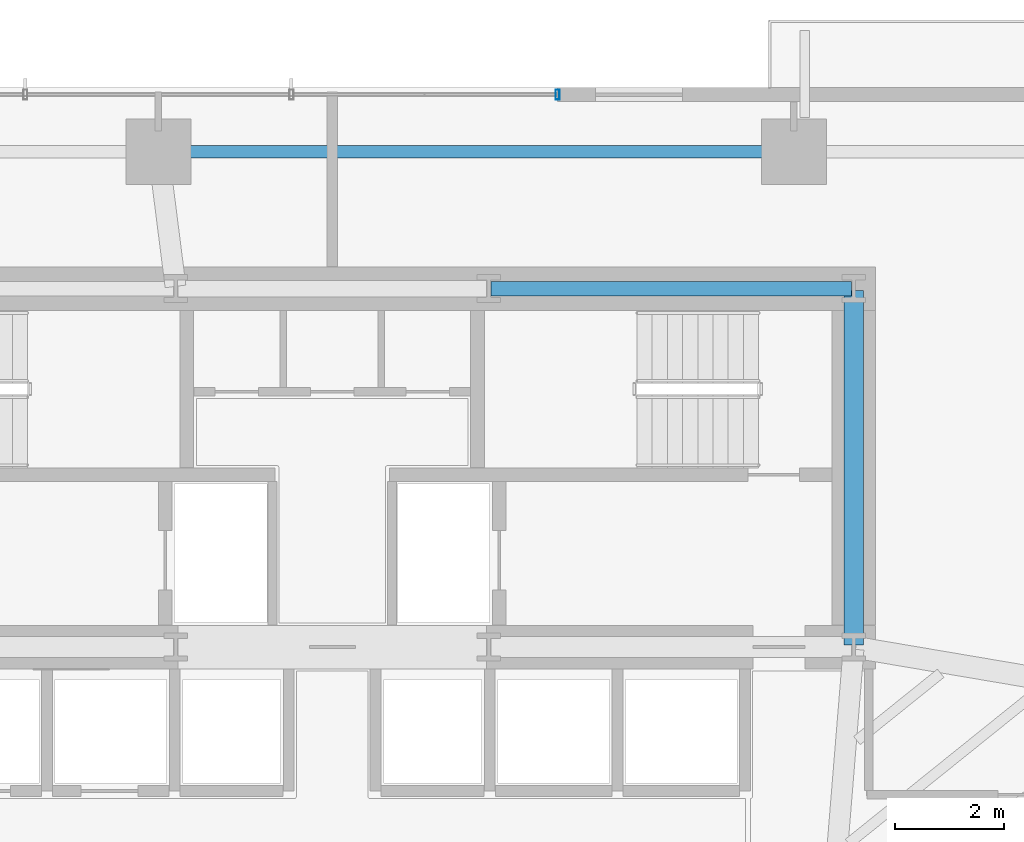
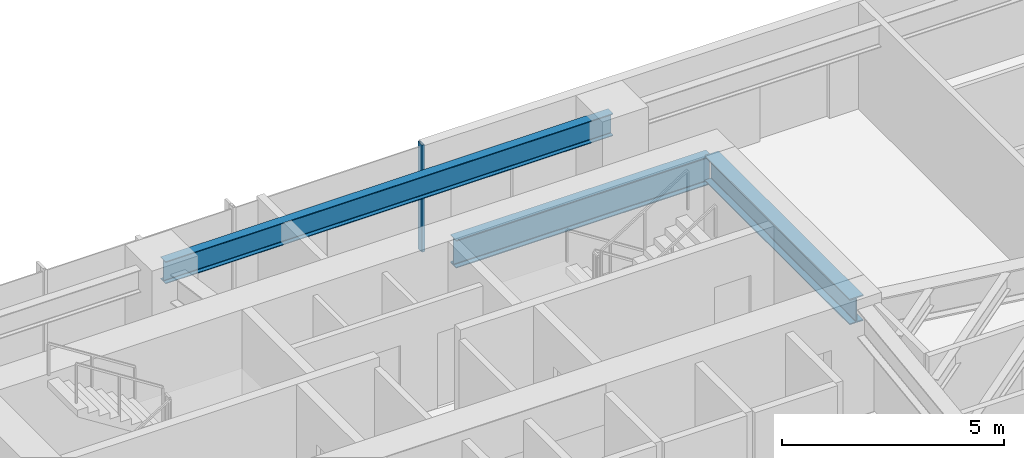
# One storey, part 15 of 25: 3 beams, 1 member, 1 element without a shape of its own.
"""IFC4 building model written with IfcOpenShell, lengths in metres."""

from ifc_helpers import new_model, si_unit, direction, frame, origin, origin_2d, place, context, subcontext, project, spatial, hollow_rectangle, i_section, extrude, source, transform, mapped, material, material_profile, profile_set, type_object, type_shapes, element, aggregate, save


model = new_model("IFC4")

# Units and contexts
model_context = context("Model", 3, precision=1e-05, world=origin(), true_north=direction((0.0, 1.0)))
body_context = subcontext(model_context, "Body", "Model", "MODEL_VIEW")
ifc_project = project(units=[si_unit("LENGTHUNIT", "METRE"), si_unit("AREAUNIT", "SQUARE_METRE"), si_unit("VOLUMEUNIT", "CUBIC_METRE"), si_unit("PLANEANGLEUNIT", "RADIAN"), si_unit("MASSUNIT", "GRAM", prefix="KILO")], contexts=[model_context])

# Site, building, storey
site_placement = place(None, origin())
site = spatial("IfcSite", under=ifc_project, at=site_placement, CompositionType="ELEMENT")
building_placement = place(site_placement, origin())
building = spatial("IfcBuilding", under=site, at=building_placement, Name="Astriad Promenade Condominiums", CompositionType="ELEMENT")
storey_placement = place(building_placement, frame((0.0, 0.0, 55.0)))
storey = spatial("IfcBuildingStorey", under=building, at=storey_placement, Name="L15", CompositionType="ELEMENT", Elevation=55.0)

# Beams
ifc_material_1 = material(Name="Steel ASTM A992 Grade 50", Category="steel")
ifc_material_profile_1 = material_profile(ifc_material_1, i_section(OverallWidth=0.267822265625, OverallDepth=0.76953125, WebThickness=0.015625, FlangeThickness=0.025390625, FilletRadius=0.021484375, at=origin_2d()), Name="W30X132")
ifc_profile_set_1 = profile_set([ifc_material_profile_1], Name="Steel ASTM A992 Grade 50")
beam_type_1 = type_object("IfcBeamType", Name="STEEL FLOOR GIRDER W30X132", PredefinedType="BEAM", material=ifc_profile_set_1)
shared_shape_1 = source(origin(), body_context, "Body", "SweptSolid", [
    extrude(i_section(OverallWidth=0.267822265625, OverallDepth=0.76953125, WebThickness=0.015625, FlangeThickness=0.025390625, FilletRadius=0.021484375, at=origin_2d()), origin(), (0.0, 0.0, 1.0), 6.64013671875),
])
type_shapes(beam_type_1, [shared_shape_1])
beam_1_placement = place(storey_placement, frame((38.919921875, 24.0, 2.55517578125), z_axis=(1.0, 0.0, 0.0), x_axis=(0.0, 1.0, 0.0)))
element("IfcBeam", 1, at=beam_1_placement, inside=storey, type_object=beam_type_1, Name="Core Ring Beam CG-N3-L15", PredefinedType="BEAM", context=body_context, shape_type="MappedRepresentation", body=[
    mapped(shared_shape_1, transform((0.0, 0.0, 0.0), scale=1.0)),
])
ifc_material_profile_2 = material_profile(ifc_material_1, i_section(OverallWidth=0.35791015625, OverallDepth=0.706298828125, WebThickness=0.018310546875, FlangeThickness=0.0302734375, FilletRadius=0.020263671875, at=origin_2d()), Name="W27X178")
ifc_profile_set_2 = profile_set([ifc_material_profile_2], Name="Steel ASTM A992 Grade 50")
beam_type_2 = type_object("IfcBeamType", Name="STEEL FLOOR GIRDER W27X178", PredefinedType="BEAM", material=ifc_profile_set_2)
shared_shape_2 = source(origin(), body_context, "Body", "SweptSolid", [
    extrude(i_section(OverallWidth=0.35791015625, OverallDepth=0.706298828125, WebThickness=0.018310546875, FlangeThickness=0.0302734375, FilletRadius=0.020263671875, at=origin_2d()), origin(), (0.0, 0.0, 1.0), 6.52001953125),
])
type_shapes(beam_type_2, [shared_shape_2])
beam_2_placement = place(storey_placement, frame((45.60009765625, 17.43994140625, 2.5869140625), z_axis=(0.0, 1.0, 0.0), x_axis=(-1.0, 0.0, 0.0)))
element("IfcBeam", 2, at=beam_2_placement, inside=storey, type_object=beam_type_2, Name="Core Ring Beam CG-E1-L15", PredefinedType="BEAM", context=body_context, shape_type="MappedRepresentation", body=[
    mapped(shared_shape_2, transform((0.0, 0.0, 0.0), scale=1.0)),
])
ifc_material_profile_3 = material_profile(ifc_material_1, i_section(OverallWidth=0.22900390625, OverallDepth=0.612060546875, WebThickness=0.011962890625, FlangeThickness=0.01953125, FilletRadius=0.017822265625, at=origin_2d()), Name="W24X84")
ifc_profile_set_3 = profile_set([ifc_material_profile_3], Name="Steel ASTM A992 Grade 50")
beam_type_3 = type_object("IfcBeamType", Name="STEEL SPANDREL BEAM W24X84", PredefinedType="SPANDREL", material=ifc_profile_set_3)
shared_shape_3 = source(origin(), body_context, "Body", "SweptSolid", [
    extrude(i_section(OverallWidth=0.22900390625, OverallDepth=0.612060546875, WebThickness=0.011962890625, FlangeThickness=0.01953125, FilletRadius=0.017822265625, at=origin_2d()), origin(), (0.0, 0.0, 1.0), 11.619873046875),
])
type_shapes(beam_type_3, [shared_shape_3])
beam_3_placement = place(storey_placement, frame((44.4599609375, 26.52001953125, 2.6337890625), z_axis=(-1.0, 0.0, 0.0), x_axis=(0.0, -1.0, 0.0)))
element("IfcBeam", 3, at=beam_3_placement, inside=storey, type_object=beam_type_3, Name="Perimeter Spandrel Beam SP-N3-L15", PredefinedType="SPANDREL", context=body_context, shape_type="MappedRepresentation", body=[
    mapped(shared_shape_3, transform((0.0, 0.0, 0.0), scale=1.0)),
])

# Curtain wall, member
ifc_material_2 = material(Name="Anodised aluminium Black Dark Glass Unitised", Category="aluminium")
curtain_wall_type = type_object("IfcCurtainWallType", Name="CW-B1-DARK", PredefinedType="USERDEFINED", material=ifc_material_2)
curtain_wall_placement = place(storey_placement, origin())
curtain_wall = element("IfcCurtainWall", 4, at=curtain_wall_placement, inside=storey, type_object=curtain_wall_type, Name="CW-L15-N", ObjectType="UNITISED_CURTAIN_WALL", PredefinedType="USERDEFINED")
ifc_material_3 = material(Name="Anodised aluminium 6063-T6 Black", Category="aluminium")
ifc_material_profile_4 = material_profile(ifc_material_3, hollow_rectangle(XDim=0.074951171875, YDim=0.18505859375, WallThickness=0.00439453125, at=origin_2d()), Name="ALU-MUL-75X185")
ifc_profile_set_4 = profile_set([ifc_material_profile_4], Name="Anodised aluminium 6063-T6 Black")
member_type = type_object("IfcMemberType", Name="MUL-ALU-MUL-75X185", PredefinedType="MULLION", material=ifc_profile_set_4)
shared_shape_4 = source(origin(), body_context, "Body", "SweptSolid", [
    extrude(hollow_rectangle(XDim=0.074951171875, YDim=0.18505859375, WallThickness=0.00439453125, at=origin_2d()), origin(), (0.0, 0.0, 1.0), 2.93994140625),
])
type_shapes(member_type, [shared_shape_4])
member_placement = place(storey_placement, frame((40.14990234375, 27.570068359375, 0.0), z_axis=(0.0, 0.0, 1.0), x_axis=(1.0, 0.0, 0.0)))
member = element("IfcMember", 5, at=member_placement, type_object=member_type, Name="CW-L15-N-MUL-03", PredefinedType="MULLION", context=body_context, shape_type="MappedRepresentation", body=[
    mapped(shared_shape_4, transform((0.0, 0.0, 0.0), scale=1.0)),
])
aggregate(curtain_wall, [member])

save(model, "model.ifc")
